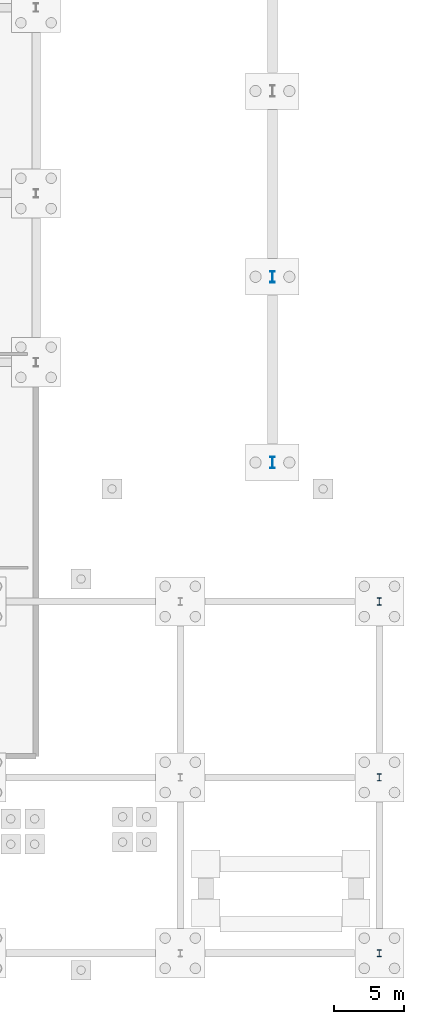
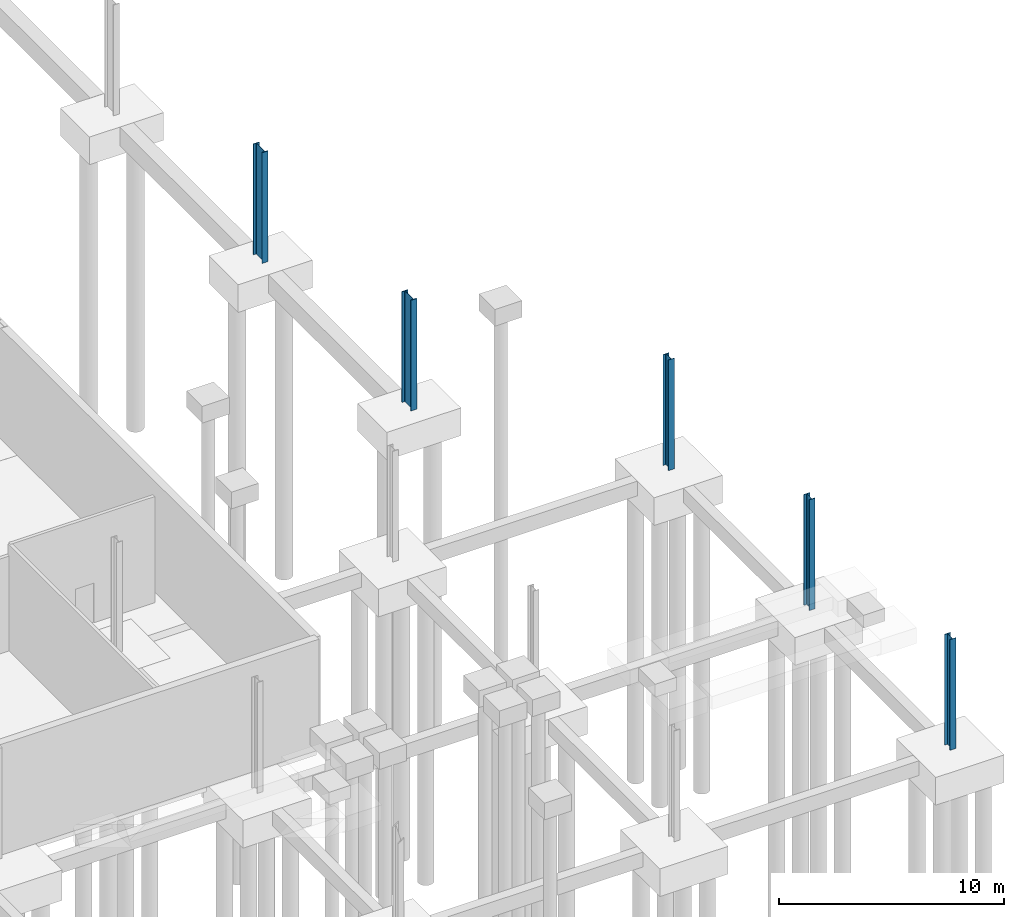
# One storey, part 17 of 46: 5 columns.
"""IFC4 building model written with IfcOpenShell, lengths in metres."""

from ifc_helpers import new_model, si_unit, direction, frame, origin, origin_2d, place, context, subcontext, project, spatial, i_section, extrude, material, material_profile, profile_set, type_object, element, save


model = new_model("IFC4")

# Units and contexts
model_context = context("Model", 3, precision=1e-05, world=origin(), true_north=direction((0.0, 1.0)))
body_context = subcontext(model_context, "Body", "Model", "MODEL_VIEW")
ifc_project = project(units=[si_unit("LENGTHUNIT", "METRE"), si_unit("AREAUNIT", "SQUARE_METRE"), si_unit("VOLUMEUNIT", "CUBIC_METRE"), si_unit("PLANEANGLEUNIT", "RADIAN"), si_unit("MASSUNIT", "GRAM", prefix="KILO")], contexts=[model_context])

# Site, building, storey
site_placement = place(None, origin())
site = spatial("IfcSite", under=ifc_project, at=site_placement, CompositionType="ELEMENT")
building_placement = place(site_placement, origin())
building = spatial("IfcBuilding", under=site, at=building_placement, Name="Kimbaza Rail Terminus", CompositionType="ELEMENT")
storey_placement = place(building_placement, frame((0.0, 0.0, -6.0)))
storey = spatial("IfcBuildingStorey", under=building, at=storey_placement, Name="B1", CompositionType="ELEMENT", Elevation=-6.0)

# Columns
ifc_material_1 = material(Name="Steel S355", Category="steel")
ifc_material_profile_1 = material_profile(ifc_material_1, i_section(OverallWidth=0.300048828125, OverallDepth=0.5, WebThickness=0.014404296875, FlangeThickness=0.028076171875, FilletRadius=0.027099609375, at=origin_2d()), Name="HEB 500")
ifc_profile_set_1 = profile_set([ifc_material_profile_1], Name="Steel S355")
column_type_1 = type_object("IfcColumnType", Name="STR-COL-HEB500", PredefinedType="COLUMN", material=ifc_profile_set_1)
for number, where, z_axis, x_axis, name in (
    (1, (214.0, 13.0, 0.0), (0.0, 0.0, 1.0), (1.0, 0.0, 0.0), "Retail Pavilion Column B1 (4,0)"),
    (2, (214.0, 25.5, 0.0), (0.0, 0.0, 1.0), (1.0, 0.0, 0.0), "Retail Pavilion Column B1 (4,1)"),
    (3, (214.0, 38.0, 0.0), (0.0, 0.0, 1.0), (1.0, 0.0, 0.0), "Retail Pavilion Column B1 (4,2)"),
):
    element("IfcColumn", number, at=place(storey_placement, frame(where, z_axis=z_axis, x_axis=x_axis)), inside=storey, type_object=column_type_1, Name=name, PredefinedType="COLUMN", context=body_context, shape_type="SweptSolid", body=[
        extrude(i_section(OverallWidth=0.300048828125, OverallDepth=0.5, WebThickness=0.014404296875, FlangeThickness=0.028076171875, FilletRadius=0.027099609375, at=origin_2d()), origin(), (0.0, 0.0, 1.0), 6.0),
    ])
ifc_material_2 = material(Name="Steel S355", Category="steel")
ifc_material_profile_2 = material_profile(ifc_material_2, i_section(OverallWidth=0.302978515625, OverallDepth=0.81396484375, WebThickness=0.02099609375, FlangeThickness=0.0400390625, FilletRadius=0.030029296875, at=origin_2d()), Name="HEM 800")
ifc_profile_set_2 = profile_set([ifc_material_profile_2], Name="Steel S355")
column_type_2 = type_object("IfcColumnType", Name="STR-COL-HEM800", PredefinedType="COLUMN", material=ifc_profile_set_2)
for number, where, z_axis, x_axis, name in (
    (4, (206.39990234375, 47.8759765625, 0.0), (0.0, 0.0, 1.0), (1.0, 0.0, 0.0), "Viaduct Pier Column B1 VP-12"),
    (5, (206.39990234375, 61.075927734375, 0.0), (0.0, 0.0, 1.0), (1.0, 0.0, 0.0), "Viaduct Pier Column B1 VP-12"),
):
    element("IfcColumn", number, at=place(storey_placement, frame(where, z_axis=z_axis, x_axis=x_axis)), inside=storey, type_object=column_type_2, Name=name, PredefinedType="COLUMN", context=body_context, shape_type="SweptSolid", body=[
        extrude(i_section(OverallWidth=0.302978515625, OverallDepth=0.81396484375, WebThickness=0.02099609375, FlangeThickness=0.0400390625, FilletRadius=0.030029296875, at=origin_2d()), origin(), (0.0, 0.0, 1.0), 6.0),
    ])

save(model, "model.ifc")
